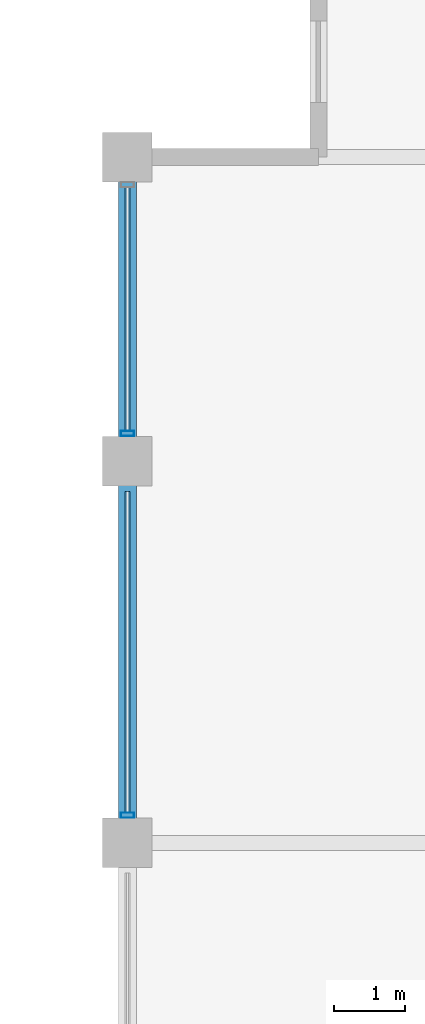
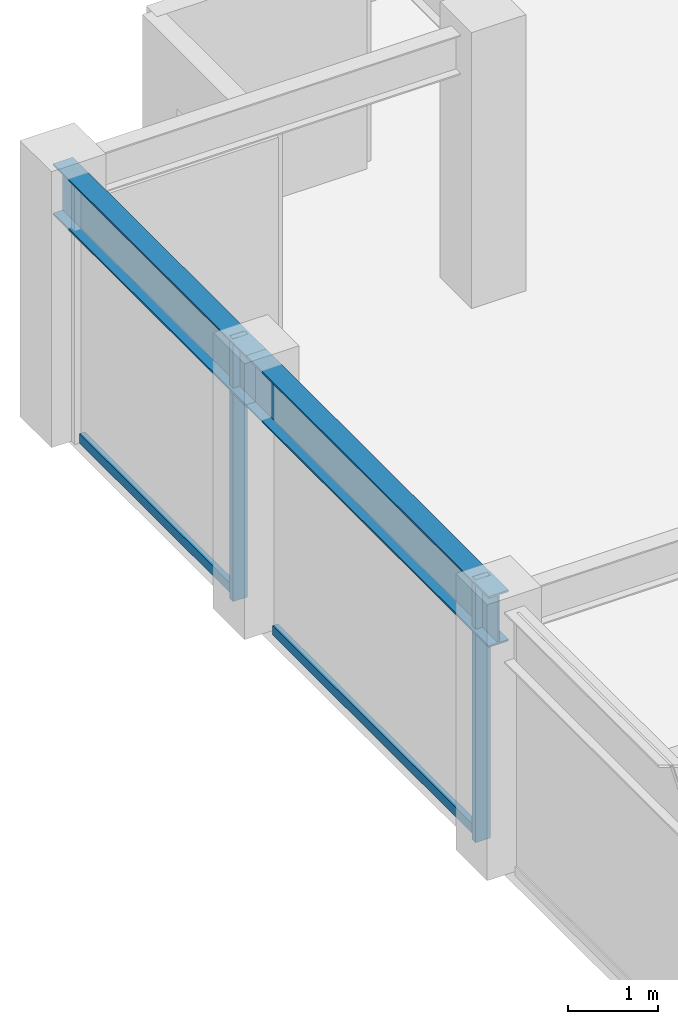
# One storey, part 12 of 29: 4 members, 2 beams, 1 element without a shape of its own.
"""IFC4 building model written with IfcOpenShell, lengths in metres."""

from ifc_helpers import new_model, si_unit, direction, frame, origin, origin_2d, place, context, subcontext, project, spatial, hollow_rectangle, i_section, extrude, material, layer, layer_set, material_profile, profile_set, type_object, element, aggregate, save


model = new_model("IFC4")

# Units and contexts
model_context = context("Model", 3, precision=1e-05, world=origin(), true_north=direction((0.0, 1.0)))
body_context = subcontext(model_context, "Body", "Model", "MODEL_VIEW")
ifc_project = project(units=[si_unit("LENGTHUNIT", "METRE"), si_unit("AREAUNIT", "SQUARE_METRE"), si_unit("VOLUMEUNIT", "CUBIC_METRE"), si_unit("PLANEANGLEUNIT", "RADIAN"), si_unit("MASSUNIT", "GRAM", prefix="KILO")], contexts=[model_context])

# Site, building, storey
site_placement = place(None, origin())
site = spatial("IfcSite", under=ifc_project, at=site_placement, CompositionType="ELEMENT")
building_placement = place(site_placement, origin())
building = spatial("IfcBuilding", under=site, at=building_placement, Name="Surkhivell Harbour Commons", CompositionType="ELEMENT")
storey_placement = place(building_placement, frame((0.0, 0.0, 277.5)))
storey = spatial("IfcBuildingStorey", under=building, at=storey_placement, Name="L72", CompositionType="ELEMENT", Elevation=277.5)

# Beams
ifc_material_1 = material(Name="Steel S355", Category="steel")
ifc_material_profile_1 = material_profile(ifc_material_1, i_section(OverallWidth=0.256103515625, OverallDepth=0.693115234375, WebThickness=0.014404296875, FlangeThickness=0.023681640625, at=origin_2d()), Name="UB686x254x170")
ifc_profile_set_1 = profile_set([ifc_material_profile_1], Name="Steel S355")
beam_type = type_object("IfcBeamType", Name="BM-SPN-686", PredefinedType="SPANDREL", material=ifc_profile_set_1)
beam_1_placement = place(storey_placement, frame((-27.0, 10.800048828125, 3.223388671875), z_axis=(0.0, 1.0, 0.0), x_axis=(-1.0, 0.0, 0.0)))
element("IfcBeam", 1, at=beam_1_placement, inside=storey, type_object=beam_type, Name="L72 Tube Spandrel (-27.0,10.8)", PredefinedType="SPANDREL", context=body_context, shape_type="SweptSolid", body=[
    extrude(i_section(OverallWidth=0.256103515625, OverallDepth=0.693115234375, WebThickness=0.014404296875, FlangeThickness=0.023681640625, at=origin_2d()), origin(), (0.0, 0.0, 1.0), 5.39990234375),
])
beam_2_placement = place(storey_placement, frame((-27.0, 16.199951171875, 3.223388671875), z_axis=(0.0, 1.0, 0.0), x_axis=(-1.0, 0.0, 0.0)))
element("IfcBeam", 2, at=beam_2_placement, inside=storey, type_object=beam_type, Name="L72 Tube Spandrel (-27.0,16.2)", PredefinedType="SPANDREL", context=body_context, shape_type="SweptSolid", body=[
    extrude(i_section(OverallWidth=0.256103515625, OverallDepth=0.693115234375, WebThickness=0.014404296875, FlangeThickness=0.023681640625, at=origin_2d()), origin(), (0.0, 0.0, 1.0), 4.300048828125),
])

# Curtain wall, members
ifc_material_2 = material(Name="Anodised pale-metal aluminium and insulated glazing", Category="aluminium")
ifc_layer = layer(ifc_material_2, 0.175048828125)
ifc_layer_set = layer_set([ifc_layer], Name="Anodised pale-metal aluminium and insulated glazing")
curtain_wall_type = type_object("IfcCurtainWallType", Name="CW-SYS-Z4", PredefinedType="NOTDEFINED", material=ifc_layer_set)
curtain_wall_placement = place(storey_placement, origin())
curtain_wall = element("IfcCurtainWall", 3, at=curtain_wall_placement, inside=storey, type_object=curtain_wall_type, Name="L72 Curtain Wall CW-L72-E12R2", PredefinedType="NOTDEFINED")
ifc_material_3 = material(Name="Anodised pale-metal aluminium alloy 6063-T6", Category="aluminium")
ifc_material_profile_2 = material_profile(ifc_material_3, hollow_rectangle(XDim=0.074951171875, YDim=0.18994140625, WallThickness=0.00390625, at=origin_2d()), Name="ALU-MULL-75x190")
ifc_profile_set_2 = profile_set([ifc_material_profile_2], Name="Anodised pale-metal aluminium alloy 6063-T6")
member_type_1 = type_object("IfcMemberType", Name="CWM-190", PredefinedType="MULLION", material=ifc_profile_set_2)
member_1_placement = place(storey_placement, frame((-27.0, 11.189453125, 0.0), z_axis=(0.0, 0.0, 1.0), x_axis=(0.0, 1.0, 0.0)))
member_1 = element("IfcMember", 4, at=member_1_placement, type_object=member_type_1, Name="CW-Z4 mullion 2", PredefinedType="MULLION", context=body_context, shape_type="SweptSolid", body=[
    extrude(hollow_rectangle(XDim=0.074951171875, YDim=0.18994140625, WallThickness=0.00390625, at=origin_2d()), origin(), (0.0, 0.0, 1.0), 3.570068359375),
])
member_2_placement = place(storey_placement, frame((-27.0, 16.589599609375, 0.0), z_axis=(0.0, 0.0, 1.0), x_axis=(0.0, 1.0, 0.0)))
member_2 = element("IfcMember", 5, at=member_2_placement, type_object=member_type_1, Name="CW-Z4 mullion 3", PredefinedType="MULLION", context=body_context, shape_type="SweptSolid", body=[
    extrude(hollow_rectangle(XDim=0.074951171875, YDim=0.18994140625, WallThickness=0.00390625, at=origin_2d()), origin(), (0.0, 0.0, 1.0), 3.570068359375),
])
ifc_material_4 = material(Name="Champagne anodised aluminium alloy 6063-T6", Category="aluminium")
ifc_material_profile_3 = material_profile(ifc_material_4, hollow_rectangle(XDim=0.070068359375, YDim=0.1298828125, WallThickness=0.00341796875, at=origin_2d()), Name="ALU-TRAN-70x130")
ifc_profile_set_3 = profile_set([ifc_material_profile_3], Name="Champagne anodised aluminium alloy 6063-T6")
member_type_2 = type_object("IfcMemberType", Name="CWT-130", PredefinedType="USERDEFINED", material=ifc_profile_set_3)
member_3_placement = place(storey_placement, frame((-27.0, 11.22705078125, 0.06494140625), z_axis=(0.0, 1.0, 0.0), x_axis=(-1.0, 0.0, 0.0)))
member_3 = element("IfcMember", 6, at=member_3_placement, type_object=member_type_2, Name="CW-Z4 transom 2.1", ObjectType="TRANSOM", PredefinedType="USERDEFINED", context=body_context, shape_type="SweptSolid", body=[
    extrude(hollow_rectangle(XDim=0.070068359375, YDim=0.1298828125, WallThickness=0.00341796875, at=origin_2d()), origin(), (0.0, 0.0, 1.0), 4.5458984375),
])
member_4_placement = place(storey_placement, frame((-27.0, 16.626953125, 0.06494140625), z_axis=(0.0, 1.0, 0.0), x_axis=(-1.0, 0.0, 0.0)))
member_4 = element("IfcMember", 7, at=member_4_placement, type_object=member_type_2, Name="CW-Z4 transom 3.1", ObjectType="TRANSOM", PredefinedType="USERDEFINED", context=body_context, shape_type="SweptSolid", body=[
    extrude(hollow_rectangle(XDim=0.070068359375, YDim=0.1298828125, WallThickness=0.00341796875, at=origin_2d()), origin(), (0.0, 0.0, 1.0), 3.446044921875),
])
aggregate(curtain_wall, [member_1, member_3, member_2, member_4])

save(model, "model.ifc")
